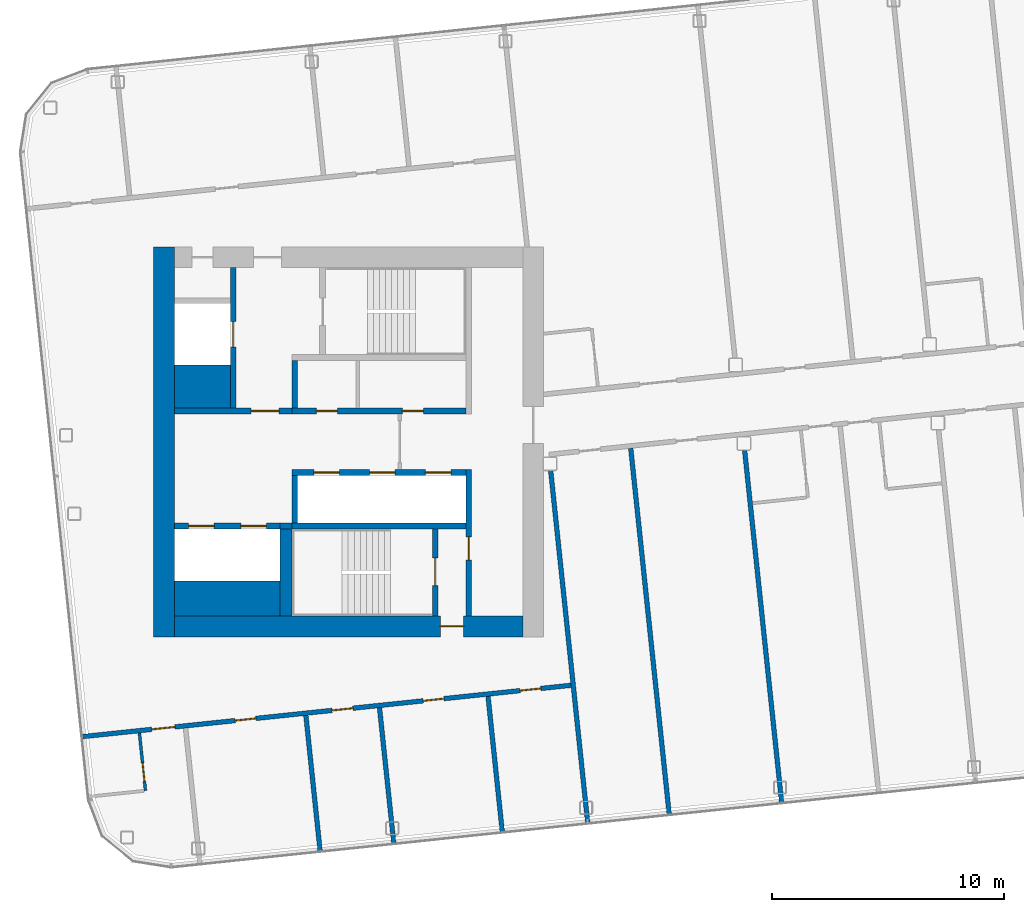
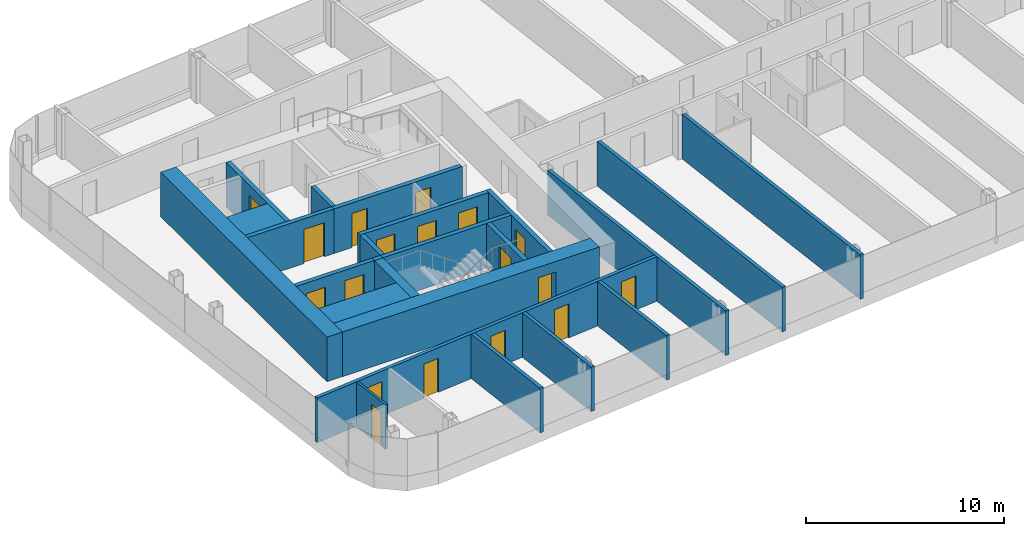
# One storey, part 14 of 27: 24 walls, 18 doors, 18 openings.
"""IFC4 building model written with IfcOpenShell, lengths in metres."""

import ifcopenshell
import ifcopenshell.guid

model = None  # the IFC model being written
_history = None  # IfcOwnerHistory: only IFC2X3 demands one
_inside = {}  # id of a spatial element -> (the spatial element, [elements in it])
_under = {}  # id of a project, library or spatial element -> (it, [spatial elements below it])
_declared = {}  # id of a project -> (the project, [libraries it declares])
_typed = {}  # id of a type object -> (the type object, [elements of that type])
_made_of = {}  # id of a material, layer set ... -> (it, [elements and type objects made of it])


def new_model(schema):
    """Start an empty IFC model of exactly this schema.

    Asked for "IFC4X3", IfcOpenShell would pick the latest addendum, in which some entities
    have other attributes; the version numbers below select the first issue.
    IFC2X3 requires an IfcOwnerHistory on every rooted entity: one is made here for all.
    """
    global model, _history
    if schema == "IFC4X3":
        model = ifcopenshell.file(schema_version=(4, 3, 0, 0))
    else:
        model = ifcopenshell.file(schema=schema)
    _inside.clear()
    _under.clear()
    _declared.clear()
    _typed.clear()
    _made_of.clear()
    _history = None
    if model.schema == "IFC2X3":
        org = make("IfcOrganization", Name="unknown")
        user = make(
            "IfcPersonAndOrganization",
            ThePerson=make("IfcPerson", FamilyName="unknown"),
            TheOrganization=org,
        )
        app = make(
            "IfcApplication",
            ApplicationDeveloper=org,
            Version="unknown",
            ApplicationFullName="unknown",
            ApplicationIdentifier="unknown",
        )
        _history = make(
            "IfcOwnerHistory",
            OwningUser=user,
            OwningApplication=app,
            ChangeAction="ADDED",
            CreationDate=0,
        )
    return model


def make(cls, **values):
    """One entity of the class cls with the attributes given. An attribute that is None is left unset."""
    return model.create_entity(
        cls, **{name: value for name, value in values.items() if value is not None}
    )


def rooted(cls, **values):
    """An entity with a GlobalId (a new one), such as an element, a storey or a relation."""
    return make(cls, GlobalId=ifcopenshell.guid.new(), OwnerHistory=_history, **values)


def si_unit(unit_type, name, prefix=None):
    """IfcSIUnit, for example si_unit("LENGTHUNIT", "METRE", prefix="MILLI")."""
    return make("IfcSIUnit", UnitType=unit_type, Prefix=prefix, Name=name)


def assignment(units):
    """IfcUnitAssignment: the units of a project."""
    return None if units is None else make("IfcUnitAssignment", Units=units)


def point(xyz):
    """IfcCartesianPoint."""
    return None if xyz is None else make("IfcCartesianPoint", Coordinates=xyz)


def direction(xyz):
    """IfcDirection."""
    return None if xyz is None else make("IfcDirection", DirectionRatios=xyz)


def frame(location, z_axis=None, x_axis=None):
    """IfcAxis2Placement3D, a coordinate frame: its origin and axes. An axis left out is left unset."""
    return make(
        "IfcAxis2Placement3D",
        Location=point(location),
        Axis=direction(z_axis),
        RefDirection=direction(x_axis),
    )


def frame_2d(location, x_axis=None):
    """IfcAxis2Placement2D, a coordinate frame in the plane: its origin and x axis."""
    return make(
        "IfcAxis2Placement2D", Location=point(location), RefDirection=direction(x_axis)
    )


def origin():
    """The frame at (0, 0, 0) with its axes left unset."""
    return frame((0.0, 0.0, 0.0))


def place(relative_to, where):
    """IfcLocalPlacement: puts the frame where relative to a parent placement (None: the world)."""
    return make(
        "IfcLocalPlacement", PlacementRelTo=relative_to, RelativePlacement=where
    )


def context(
    kind, dimensions, precision=None, world=None, true_north=None, identifier=None
):
    """IfcGeometricRepresentationContext, for example the 3D "Model" context."""
    return make(
        "IfcGeometricRepresentationContext",
        ContextIdentifier=identifier,
        ContextType=kind,
        CoordinateSpaceDimension=dimensions,
        Precision=precision,
        WorldCoordinateSystem=world,
        TrueNorth=true_north,
    )


def subcontext(parent, identifier, kind, view, scale=None):
    """IfcGeometricRepresentationSubContext, for example "Body" below "Model"."""
    return make(
        "IfcGeometricRepresentationSubContext",
        ContextIdentifier=identifier,
        ContextType=kind,
        ParentContext=parent,
        TargetScale=scale,
        TargetView=view,
    )


def project(units=None, contexts=None):
    """IfcProject with its units and contexts."""
    return rooted(
        "IfcProject",
        Name="project",
        RepresentationContexts=contexts,
        UnitsInContext=assignment(units),
    )


def spatial(cls, under=None, at=None, **own):
    """A site, building, storey or space (cls), placed at a placement, below another one or the project."""
    s = rooted(cls, ObjectPlacement=at, **own)
    if under is not None:
        _under.setdefault(under.id(), (under, []))[1].append(s)
    return s


def profile(cls, at=None, kind="AREA", **sizes):
    """A parametric profile (cls). Its sizes go by their IFC names, for example OverallWidth=200.0."""
    return make(cls, ProfileType=kind, Position=at, **sizes)


def rectangle(**sizes):
    """IfcRectangleProfileDef."""
    return profile("IfcRectangleProfileDef", **sizes)


def extrude(swept, where, along, depth):
    """IfcExtrudedAreaSolid: the profile swept, set in the frame where, extruded along a direction by depth."""
    return make(
        "IfcExtrudedAreaSolid",
        SweptArea=swept,
        Position=where,
        ExtrudedDirection=direction(along),
        Depth=depth,
    )


def shape(context_of_items, identifier, shape_type, items):
    """IfcShapeRepresentation: the items that make up one representation, for example the "Body"."""
    return make(
        "IfcShapeRepresentation",
        ContextOfItems=context_of_items,
        RepresentationIdentifier=identifier,
        RepresentationType=shape_type,
        Items=items,
    )


def material(Name=None, Category=None):
    """IfcMaterial."""
    return make("IfcMaterial", Name=Name, Category=Category)


def layer(
    of_material, thickness, ventilated=None, Name=None, Category=None, Priority=None
):
    """IfcMaterialLayer: one layer of a wall or slab, of a material (None: an air gap)."""
    return make(
        "IfcMaterialLayer",
        Material=of_material,
        LayerThickness=thickness,
        IsVentilated=ventilated,
        Name=Name,
        Category=Category,
        Priority=Priority,
    )


def layer_set(layers, Name=None):
    """IfcMaterialLayerSet."""
    return make("IfcMaterialLayerSet", MaterialLayers=layers, LayerSetName=Name)


def made_of(thing, what):
    """Note that an element or type object is made of a material, layer set ...; save() writes the relation."""
    if what is not None:
        _made_of.setdefault(what.id(), (what, []))[1].append(thing)
    return thing


def type_object(cls, material=None, **own):
    """A type object (cls), such as IfcWallType, which elements share."""
    return made_of(rooted(cls, **own), material)


def element(
    cls,
    number,
    at=None,
    inside=None,
    cuts=None,
    type_object=None,
    material=None,
    context=None,
    identifier="Body",
    shape_type=None,
    held_by="IfcProductDefinitionShape",
    body=None,
    shapes=None,
    **own,
):
    """One element of the class cls, such as IfcWall. Its Tag is "e" and its number.

    at: its placement. inside: the storey or other place that contains it. cuts: it is an
    opening in that element (IfcRelVoidsElement). A single representation is given by context,
    identifier, shape_type and body (its items); several are given by shapes. held_by: the class
    of the entity that holds the representations. save() writes the other relations.
    """
    e = rooted(cls, Tag="e%d" % number, ObjectPlacement=at, **own)
    if body is not None:
        shapes = [shape(context, identifier, shape_type, body)]
    if shapes is not None:
        e.Representation = make(held_by, Representations=shapes)
    if inside is not None:
        _inside.setdefault(inside.id(), (inside, []))[1].append(e)
    if cuts is not None:
        rooted(
            "IfcRelVoidsElement", RelatingBuildingElement=cuts, RelatedOpeningElement=e
        )
    if type_object is not None:
        _typed.setdefault(type_object.id(), (type_object, []))[1].append(e)
    return made_of(e, material)


def fill(opening, filler):
    """IfcRelFillsElement: the door or window that sits in an opening."""
    return rooted(
        "IfcRelFillsElement",
        RelatingOpeningElement=opening,
        RelatedBuildingElement=filler,
    )


def aggregate(whole, parts):
    """IfcRelAggregates: a whole, such as a stair, and the parts it consists of."""
    return rooted("IfcRelAggregates", RelatingObject=whole, RelatedObjects=parts)


def save(model, path):
    """Write the relations noted so far, then the file.

    IfcRelAggregates (storeys below a building ...), IfcRelContainedInSpatialStructure (elements
    in a storey), IfcRelDefinesByType, IfcRelAssociatesMaterial and IfcRelDeclares: one each for
    every whole, place, type object, material and project.
    """
    for whole, parts in _under.values():
        aggregate(whole, parts)
    for where, things in _inside.values():
        rooted(
            "IfcRelContainedInSpatialStructure",
            RelatedElements=things,
            RelatingStructure=where,
        )
    for kind, things in _typed.values():
        rooted("IfcRelDefinesByType", RelatedObjects=things, RelatingType=kind)
    for what, things in _made_of.values():
        rooted("IfcRelAssociatesMaterial", RelatedObjects=things, RelatingMaterial=what)
    for by, libraries in _declared.values():
        rooted("IfcRelDeclares", RelatingContext=by, RelatedDefinitions=libraries)
    model.write(path)


model = new_model("IFC4")

# Units and contexts
model_context = context("Model", 3, precision=1e-05, world=origin(), true_north=direction((0.0, 1.0)))
body_context = subcontext(model_context, "Body", "Model", "MODEL_VIEW")
ifc_project = project(units=[si_unit("LENGTHUNIT", "METRE"), si_unit("AREAUNIT", "SQUARE_METRE"), si_unit("VOLUMEUNIT", "CUBIC_METRE"), si_unit("PLANEANGLEUNIT", "RADIAN"), si_unit("MASSUNIT", "GRAM", prefix="KILO")], contexts=[model_context])

# Site, building, storey
site_placement = place(None, origin())
site = spatial("IfcSite", under=ifc_project, at=site_placement, CompositionType="ELEMENT")
building_placement = place(site_placement, origin())
building = spatial("IfcBuilding", under=site, at=building_placement, Name="Hakoniwa Tower and Hamabe Station Hall", CompositionType="ELEMENT")
storey_placement = place(building_placement, frame((0.0, 0.0, 255.0)))
storey = spatial("IfcBuildingStorey", under=building, at=storey_placement, Name="L72", CompositionType="ELEMENT", Elevation=255.0)

# Wall, opening, door
ifc_material_1 = material(Name="Gypsum board partition", Category="gypsum")
ifc_layer_1 = layer(ifc_material_1, 0.125)
ifc_layer_set_1 = layer_set([ifc_layer_1], Name="Bathroom Partition 125")
wall_type_1 = type_object("IfcWallType", Name="Bathroom Partition 125", PredefinedType="PARTITIONING", material=ifc_layer_set_1)
wall_1_placement = place(storey_placement, frame((-33.95361328125, -15.029296875, 0.0), z_axis=(0.0, 0.0, 1.0), x_axis=(-0.104588199498, 0.994515615024, 0.0)))
wall_1 = element("IfcWall", 1, at=wall_1_placement, inside=storey, type_object=wall_type_1, Name="GW-L72-014", PredefinedType="PARTITIONING", context=body_context, shape_type="SweptSolid", body=[
    extrude(rectangle(XDim=2.5, YDim=0.125, at=frame_2d((1.25, 0.0))), origin(), (0.0, 0.0, 1.0), 2.75),
])
opening_1_placement = place(wall_1_placement, frame((0.39990234375, 0.0, 0.0)))
opening_1 = element("IfcOpeningElement", 2, at=opening_1_placement, cuts=wall_1, Name="Opening GD-G5B1-27", PredefinedType="OPENING", context=body_context, shape_type="SweptSolid", body=[
    extrude(rectangle(XDim=0.800048828125, YDim=2.10009765625, at=frame_2d((0.39990234375, 1.050048828125))), frame((0.0, 0.072509765625, 0.0), z_axis=(0.0, -1.0, 0.0), x_axis=(1.0, 0.0, 0.0)), (0.0, 0.0, 1.0), 0.14501953125),
])
ifc_material_2 = material(Name="Timber door leaf", Category="wood")
door_type_1 = type_object("IfcDoorType", Name="Bathroom Door 800", OperationType="SINGLE_SWING_LEFT", PredefinedType="DOOR", material=ifc_material_2)
door_1_placement = place(opening_1_placement, origin())
door_1 = element("IfcDoor", 3, at=door_1_placement, inside=storey, type_object=door_type_1, Name="Door GD-G5B1-27", OperationType="SINGLE_SWING_RIGHT", OverallHeight=2.10009765625, OverallWidth=0.800048828125, PredefinedType="DOOR", context=body_context, shape_type="SweptSolid", body=[
    extrude(rectangle(XDim=0.800048828125, YDim=2.10009765625, at=frame_2d((0.39990234375, 1.050048828125))), frame((0.0, 0.02490234375, 0.0), z_axis=(0.0, -1.0, 0.0), x_axis=(1.0, 0.0, 0.0)), (0.0, 0.0, 1.0), 0.050048828125),
])
fill(opening_1, door_1)

# Wall
ifc_material_3 = material(Name="Concrete C60", Category="concrete")
ifc_layer_2 = layer(ifc_material_3, 0.89990234375)
ifc_layer_set_2 = layer_set([ifc_layer_2], Name="CORE WALL 900 C60")
wall_type_2 = type_object("IfcWallType", Name="CORE WALL 900 C60", PredefinedType="SHEAR", material=ifc_layer_set_2)
wall_2_placement = place(storey_placement, frame((-33.14990234375, -8.39990234375, 0.0), z_axis=(0.0, 0.0, 1.0), x_axis=(0.0, 1.0, 0.0)))
element("IfcWall", 4, at=wall_2_placement, inside=storey, type_object=wall_type_2, Name="Core wall OUTER west", PredefinedType="SHEAR", context=body_context, shape_type="SweptSolid", body=[
    extrude(rectangle(XDim=16.7998046875, YDim=0.89990234375, at=frame_2d((8.39990234375, 0.0))), origin(), (0.0, 0.0, 1.0), 2.75),
])

# Wall, opening, door
wall_3_placement = place(storey_placement, frame((-32.699951171875, -7.949951171875, 0.0), z_axis=(0.0, 0.0, 1.0), x_axis=(1.0, 0.0, 0.0)))
wall_3 = element("IfcWall", 5, at=wall_3_placement, inside=storey, type_object=wall_type_2, Name="Core wall SOUTH west", PredefinedType="SHEAR", context=body_context, shape_type="SweptSolid", body=[
    extrude(rectangle(XDim=15.0, YDim=0.89990234375, at=frame_2d((7.5, 0.0))), origin(), (0.0, 0.0, 1.0), 2.75),
])
opening_2_placement = place(wall_3_placement, frame((11.449951171875, 0.0, 0.0)))
opening_2 = element("IfcOpeningElement", 6, at=opening_2_placement, cuts=wall_3, Name="Opening CD-W-FS3-10", PredefinedType="OPENING", context=body_context, shape_type="SweptSolid", body=[
    extrude(rectangle(XDim=1.0, YDim=2.10009765625, at=frame_2d((0.5, 1.050048828125))), frame((0.0, 0.4599609375, 0.0), z_axis=(0.0, -1.0, 0.0), x_axis=(1.0, 0.0, 0.0)), (0.0, 0.0, 1.0), 0.919921875),
])
ifc_material_4 = material(Name="Steel fire door", Category="steel")
door_type_2 = type_object("IfcDoorType", Name="CORE DOOR 1000 FD60", OperationType="NOTDEFINED", PredefinedType="DOOR", material=ifc_material_4)
door_2_placement = place(opening_2_placement, origin())
door_2 = element("IfcDoor", 7, at=door_2_placement, inside=storey, type_object=door_type_2, Name="Stair vestibule door", OperationType="SINGLE_SWING_LEFT", OverallHeight=2.10009765625, OverallWidth=1.0, PredefinedType="DOOR", context=body_context, shape_type="SweptSolid", body=[
    extrude(rectangle(XDim=1.0, YDim=2.10009765625, at=frame_2d((0.5, 1.050048828125))), frame((0.0, 0.02490234375, 0.0), z_axis=(0.0, -1.0, 0.0), x_axis=(1.0, 0.0, 0.0)), (0.0, 0.0, 1.0), 0.050048828125),
])
fill(opening_2, door_2)

# Walls
ifc_material_5 = material(Name="Concrete C60", Category="concrete")
ifc_layer_3 = layer(ifc_material_5, 1.5)
ifc_layer_set_3 = layer_set([ifc_layer_3], Name="CORE WEB WALL 1500 C60")
wall_type_3 = type_object("IfcWallType", Name="CORE WEB WALL 1500 C60", PredefinedType="SHEAR", material=ifc_layer_set_3)
wall_4_placement = place(storey_placement, frame((-32.699951171875, -6.75, 0.0), z_axis=(0.0, 0.0, 1.0), x_axis=(1.0, 0.0, 0.0)))
element("IfcWall", 8, at=wall_4_placement, inside=storey, type_object=wall_type_3, Name="Core wall SER west", PredefinedType="SHEAR", context=body_context, shape_type="SweptSolid", body=[
    extrude(rectangle(XDim=4.550048828125, YDim=1.5, at=frame_2d((2.27490234375, 0.0))), origin(), (0.0, 0.0, 1.0), 2.75),
])
ifc_material_6 = material(Name="Concrete C60", Category="concrete")
ifc_layer_4 = layer(ifc_material_6, 1.85009765625)
ifc_layer_set_4 = layer_set([ifc_layer_4], Name="CORE WEB WALL 1850 C60")
wall_type_4 = type_object("IfcWallType", Name="CORE WEB WALL 1850 C60", PredefinedType="SHEAR", material=ifc_layer_set_4)
wall_5_placement = place(storey_placement, frame((-32.699951171875, 2.375, 0.0), z_axis=(0.0, 0.0, 1.0), x_axis=(1.0, 0.0, 0.0)))
element("IfcWall", 9, at=wall_5_placement, inside=storey, type_object=wall_type_4, Name="Core wall CA west", PredefinedType="SHEAR", context=body_context, shape_type="SweptSolid", body=[
    extrude(rectangle(XDim=2.39990234375, YDim=1.85009765625, at=frame_2d((1.199951171875, 0.0))), origin(), (0.0, 0.0, 1.0), 2.75),
])

# Wall, opening, door
ifc_material_7 = material(Name="Concrete C60", Category="concrete")
ifc_layer_5 = layer(ifc_material_7, 0.25)
ifc_layer_set_5 = layer_set([ifc_layer_5], Name="CORE WEB WALL 250 C60")
wall_type_5 = type_object("IfcWallType", Name="CORE WEB WALL 250 C60", PredefinedType="SHEAR", material=ifc_layer_set_5)
wall_6_placement = place(storey_placement, frame((-20.02490234375, -7.5, 0.0), z_axis=(0.0, 0.0, 1.0), x_axis=(0.0, 1.0, 0.0)))
wall_6 = element("IfcWall", 10, at=wall_6_placement, inside=storey, type_object=wall_type_5, Name="Core wall W1S west", PredefinedType="SHEAR", context=body_context, shape_type="SweptSolid", body=[
    extrude(rectangle(XDim=6.300048828125, YDim=0.25, at=frame_2d((3.14990234375, 0.0))), origin(), (0.0, 0.0, 1.0), 2.75),
])
opening_3_placement = place(wall_6_placement, frame((2.39990234375, 0.0, 0.0)))
opening_3 = element("IfcOpeningElement", 11, at=opening_3_placement, cuts=wall_6, Name="Opening CD-W-VS-10", PredefinedType="OPENING", context=body_context, shape_type="SweptSolid", body=[
    extrude(rectangle(XDim=1.0, YDim=2.10009765625, at=frame_2d((0.5, 1.050048828125))), frame((0.0, 0.135009765625, 0.0), z_axis=(0.0, -1.0, 0.0), x_axis=(1.0, 0.0, 0.0)), (0.0, 0.0, 1.0), 0.27001953125),
])
door_3_placement = place(opening_3_placement, origin())
door_3 = element("IfcDoor", 12, at=door_3_placement, inside=storey, type_object=door_type_2, Name="Stair vestibule door", OperationType="SINGLE_SWING_LEFT", OverallHeight=2.10009765625, OverallWidth=1.0, PredefinedType="DOOR", context=body_context, shape_type="SweptSolid", body=[
    extrude(rectangle(XDim=1.0, YDim=2.10009765625, at=frame_2d((0.5, 1.050048828125))), frame((0.0, 0.02490234375, 0.0), z_axis=(0.0, -1.0, 0.0), x_axis=(1.0, 0.0, 0.0)), (0.0, 0.0, 1.0), 0.050048828125),
])
fill(opening_3, door_3)

# Wall, openings, doors
wall_7_placement = place(storey_placement, frame((-27.64990234375, 1.324951171875, 0.0), z_axis=(0.0, 0.0, 1.0), x_axis=(1.0, 0.0, 0.0)))
wall_7 = element("IfcWall", 13, at=wall_7_placement, inside=storey, type_object=wall_type_5, Name="Core wall NF west", PredefinedType="SHEAR", context=body_context, shape_type="SweptSolid", body=[
    extrude(rectangle(XDim=7.5, YDim=0.25, at=frame_2d((3.75, 0.0))), origin(), (0.0, 0.0, 1.0), 2.75),
])
opening_4_placement = place(wall_7_placement, frame((4.762451171875, 0.0, 0.0)))
opening_4 = element("IfcOpeningElement", 14, at=opening_4_placement, cuts=wall_7, Name="Opening CD-W-FRLR0-9", PredefinedType="OPENING", context=body_context, shape_type="SweptSolid", body=[
    extrude(rectangle(XDim=0.89990234375, YDim=2.10009765625, at=frame_2d((0.449951171875, 1.050048828125))), frame((0.0, 0.135009765625, 0.0), z_axis=(0.0, -1.0, 0.0), x_axis=(1.0, 0.0, 0.0)), (0.0, 0.0, 1.0), 0.27001953125),
])
opening_5_placement = place(wall_7_placement, frame((1.0625, 0.0, 0.0)))
opening_5 = element("IfcOpeningElement", 15, at=opening_5_placement, cuts=wall_7, Name="Opening CD-W-FRLR1-9", PredefinedType="OPENING", context=body_context, shape_type="SweptSolid", body=[
    extrude(rectangle(XDim=0.89990234375, YDim=2.10009765625, at=frame_2d((0.449951171875, 1.050048828125))), frame((0.0, 0.135009765625, 0.0), z_axis=(0.0, -1.0, 0.0), x_axis=(1.0, 0.0, 0.0)), (0.0, 0.0, 1.0), 0.27001953125),
])
ifc_material_8 = material(Name="Steel fire door", Category="steel")
door_type_3 = type_object("IfcDoorType", Name="CORE DOOR 900 FD30", OperationType="NOTDEFINED", PredefinedType="DOOR", material=ifc_material_8)
door_4_placement = place(opening_4_placement, origin())
door_4 = element("IfcDoor", 16, at=door_4_placement, inside=storey, type_object=door_type_3, Name="Store room door", OperationType="SINGLE_SWING_RIGHT", OverallHeight=2.10009765625, OverallWidth=0.89990234375, PredefinedType="DOOR", context=body_context, shape_type="SweptSolid", body=[
    extrude(rectangle(XDim=0.89990234375, YDim=2.10009765625, at=frame_2d((0.449951171875, 1.050048828125))), frame((0.0, 0.02490234375, 0.0), z_axis=(0.0, -1.0, 0.0), x_axis=(1.0, 0.0, 0.0)), (0.0, 0.0, 1.0), 0.050048828125),
])
fill(opening_4, door_4)
door_5_placement = place(opening_5_placement, origin())
door_5 = element("IfcDoor", 17, at=door_5_placement, inside=storey, type_object=door_type_3, Name="Store room door", OperationType="SINGLE_SWING_LEFT", OverallHeight=2.10009765625, OverallWidth=0.89990234375, PredefinedType="DOOR", context=body_context, shape_type="SweptSolid", body=[
    extrude(rectangle(XDim=0.89990234375, YDim=2.10009765625, at=frame_2d((0.449951171875, 1.050048828125))), frame((0.0, 0.02490234375, 0.0), z_axis=(0.0, -1.0, 0.0), x_axis=(1.0, 0.0, 0.0)), (0.0, 0.0, 1.0), 0.050048828125),
])
fill(opening_5, door_5)

# Wall
wall_8_placement = place(storey_placement, frame((-27.52490234375, 1.449951171875, 0.0), z_axis=(0.0, 0.0, 1.0), x_axis=(0.0, 1.0, 0.0)))
element("IfcWall", 18, at=wall_8_placement, inside=storey, type_object=wall_type_5, Name="Core wall NE west", PredefinedType="SHEAR", context=body_context, shape_type="SweptSolid", body=[
    extrude(rectangle(XDim=2.050048828125, YDim=0.25, at=frame_2d((1.02490234375, 0.0))), origin(), (0.0, 0.0, 1.0), 2.75),
])

# Wall, opening, door
wall_9_placement = place(storey_placement, frame((-32.699951171875, 1.324951171875, 0.0), z_axis=(0.0, 0.0, 1.0), x_axis=(1.0, 0.0, 0.0)))
wall_9 = element("IfcWall", 19, at=wall_9_placement, inside=storey, type_object=wall_type_5, Name="Core wall ELN west", PredefinedType="SHEAR", context=body_context, shape_type="SweptSolid", body=[
    extrude(rectangle(XDim=5.050048828125, YDim=0.25, at=frame_2d((2.52490234375, 0.0))), origin(), (0.0, 0.0, 1.0), 2.75),
])
opening_6_placement = place(wall_9_placement, frame((3.300048828125, 0.0, 0.0)))
opening_6 = element("IfcOpeningElement", 20, at=opening_6_placement, cuts=wall_9, Name="Opening CD-W-FL-12", PredefinedType="OPENING", context=body_context, shape_type="SweptSolid", body=[
    extrude(rectangle(XDim=1.199951171875, YDim=2.10009765625, at=frame_2d((0.60009765625, 1.050048828125))), frame((0.0, 0.135009765625, 0.0), z_axis=(0.0, -1.0, 0.0), x_axis=(1.0, 0.0, 0.0)), (0.0, 0.0, 1.0), 0.27001953125),
])
ifc_material_9 = material(Name="Steel fire door", Category="steel")
door_type_4 = type_object("IfcDoorType", Name="CORE DOOR 1200 FD60", OperationType="DOUBLE_DOOR_SINGLE_SWING", PredefinedType="DOOR", material=ifc_material_9)
door_6_placement = place(opening_6_placement, origin())
door_6 = element("IfcDoor", 21, at=door_6_placement, inside=storey, type_object=door_type_4, Name="Stair vestibule door to the fire-fighting lobby", OperationType="DOUBLE_DOOR_SINGLE_SWING", OverallHeight=2.10009765625, OverallWidth=1.199951171875, PredefinedType="DOOR", context=body_context, shape_type="SweptSolid", body=[
    extrude(rectangle(XDim=1.199951171875, YDim=2.10009765625, at=frame_2d((0.60009765625, 1.050048828125))), frame((0.0, 0.02490234375, 0.0), z_axis=(0.0, -1.0, 0.0), x_axis=(1.0, 0.0, 0.0)), (0.0, 0.0, 1.0), 0.050048828125),
])
fill(opening_6, door_6)

wall_10_placement = place(storey_placement, frame((-30.175048828125, 1.449951171875, 0.0), z_axis=(0.0, 0.0, 1.0), x_axis=(0.0, 1.0, 0.0)))
wall_10 = element("IfcWall", 22, at=wall_10_placement, inside=storey, type_object=wall_type_5, Name="Core wall FFF west", PredefinedType="SHEAR", context=body_context, shape_type="SweptSolid", body=[
    extrude(rectangle(XDim=6.050048828125, YDim=0.25, at=frame_2d((3.02490234375, 0.0))), origin(), (0.0, 0.0, 1.0), 2.75),
])
opening_7_placement = place(wall_10_placement, frame((2.625, 0.0, 0.0)))
opening_7 = element("IfcOpeningElement", 23, at=opening_7_placement, cuts=wall_10, Name="Opening LD-FF1", PredefinedType="OPENING", context=body_context, shape_type="SweptSolid", body=[
    extrude(rectangle(XDim=1.10009765625, YDim=2.10009765625, at=frame_2d((0.550048828125, 1.050048828125))), frame((0.0, 0.135009765625, 0.0), z_axis=(0.0, -1.0, 0.0), x_axis=(1.0, 0.0, 0.0)), (0.0, 0.0, 1.0), 0.27001953125),
])
ifc_material_10 = material(Name="Stainless steel SUS304", Category="steel")
door_type_5 = type_object("IfcDoorType", Name="LIFT LANDING DOOR 1100 FD60", OperationType="DOUBLE_DOOR_SLIDING", PredefinedType="DOOR", material=ifc_material_10)
door_7_placement = place(opening_7_placement, origin())
door_7 = element("IfcDoor", 24, at=door_7_placement, inside=storey, type_object=door_type_5, Name="Lift landing door FF1 L72", OperationType="DOUBLE_DOOR_SLIDING", OverallHeight=2.10009765625, OverallWidth=1.10009765625, PredefinedType="DOOR", context=body_context, shape_type="SweptSolid", body=[
    extrude(rectangle(XDim=1.10009765625, YDim=2.10009765625, at=frame_2d((0.550048828125, 1.050048828125))), frame((0.0, 0.02490234375, 0.0), z_axis=(0.0, -1.0, 0.0), x_axis=(1.0, 0.0, 0.0)), (0.0, 0.0, 1.0), 0.050048828125),
])
fill(opening_7, door_7)

# Wall, openings, doors
wall_11_placement = place(storey_placement, frame((-27.64990234375, -1.324951171875, 0.0), z_axis=(0.0, 0.0, 1.0), x_axis=(1.0, 0.0, 0.0)))
wall_11 = element("IfcWall", 25, at=wall_11_placement, inside=storey, type_object=wall_type_5, Name="Core wall SF west", PredefinedType="SHEAR", context=body_context, shape_type="SweptSolid", body=[
    extrude(rectangle(XDim=7.5, YDim=0.25, at=frame_2d((3.75, 0.0))), origin(), (0.0, 0.0, 1.0), 2.75),
])
opening_8_placement = place(wall_11_placement, frame((5.75, 0.0, 0.0)))
opening_8 = element("IfcOpeningElement", 26, at=opening_8_placement, cuts=wall_11, Name="Opening LD-HR1", PredefinedType="OPENING", context=body_context, shape_type="SweptSolid", body=[
    extrude(rectangle(XDim=1.10009765625, YDim=2.10009765625, at=frame_2d((0.550048828125, 1.050048828125))), frame((0.0, 0.135009765625, 0.0), z_axis=(0.0, -1.0, 0.0), x_axis=(1.0, 0.0, 0.0)), (0.0, 0.0, 1.0), 0.27001953125),
])
opening_9_placement = place(wall_11_placement, frame((3.35009765625, 0.0, 0.0)))
opening_9 = element("IfcOpeningElement", 27, at=opening_9_placement, cuts=wall_11, Name="Opening LD-HR2", PredefinedType="OPENING", context=body_context, shape_type="SweptSolid", body=[
    extrude(rectangle(XDim=1.10009765625, YDim=2.10009765625, at=frame_2d((0.550048828125, 1.050048828125))), frame((0.0, 0.135009765625, 0.0), z_axis=(0.0, -1.0, 0.0), x_axis=(1.0, 0.0, 0.0)), (0.0, 0.0, 1.0), 0.27001953125),
])
opening_10_placement = place(wall_11_placement, frame((0.949951171875, 0.0, 0.0)))
opening_10 = element("IfcOpeningElement", 28, at=opening_10_placement, cuts=wall_11, Name="Opening LD-HR3", PredefinedType="OPENING", context=body_context, shape_type="SweptSolid", body=[
    extrude(rectangle(XDim=1.10009765625, YDim=2.10009765625, at=frame_2d((0.550048828125, 1.050048828125))), frame((0.0, 0.135009765625, 0.0), z_axis=(0.0, -1.0, 0.0), x_axis=(1.0, 0.0, 0.0)), (0.0, 0.0, 1.0), 0.27001953125),
])
door_8_placement = place(opening_8_placement, origin())
door_8 = element("IfcDoor", 29, at=door_8_placement, inside=storey, type_object=door_type_5, Name="Lift landing door HR1 L72", OperationType="DOUBLE_DOOR_SLIDING", OverallHeight=2.10009765625, OverallWidth=1.10009765625, PredefinedType="DOOR", context=body_context, shape_type="SweptSolid", body=[
    extrude(rectangle(XDim=1.10009765625, YDim=2.10009765625, at=frame_2d((0.550048828125, 1.050048828125))), frame((0.0, 0.02490234375, 0.0), z_axis=(0.0, -1.0, 0.0), x_axis=(1.0, 0.0, 0.0)), (0.0, 0.0, 1.0), 0.050048828125),
])
fill(opening_8, door_8)
door_9_placement = place(opening_9_placement, origin())
door_9 = element("IfcDoor", 30, at=door_9_placement, inside=storey, type_object=door_type_5, Name="Lift landing door HR2 L72", OperationType="DOUBLE_DOOR_SLIDING", OverallHeight=2.10009765625, OverallWidth=1.10009765625, PredefinedType="DOOR", context=body_context, shape_type="SweptSolid", body=[
    extrude(rectangle(XDim=1.10009765625, YDim=2.10009765625, at=frame_2d((0.550048828125, 1.050048828125))), frame((0.0, 0.02490234375, 0.0), z_axis=(0.0, -1.0, 0.0), x_axis=(1.0, 0.0, 0.0)), (0.0, 0.0, 1.0), 0.050048828125),
])
fill(opening_9, door_9)
door_10_placement = place(opening_10_placement, origin())
door_10 = element("IfcDoor", 31, at=door_10_placement, inside=storey, type_object=door_type_5, Name="Lift landing door HR3 L72", OperationType="DOUBLE_DOOR_SLIDING", OverallHeight=2.10009765625, OverallWidth=1.10009765625, PredefinedType="DOOR", context=body_context, shape_type="SweptSolid", body=[
    extrude(rectangle(XDim=1.10009765625, YDim=2.10009765625, at=frame_2d((0.550048828125, 1.050048828125))), frame((0.0, 0.02490234375, 0.0), z_axis=(0.0, -1.0, 0.0), x_axis=(1.0, 0.0, 0.0)), (0.0, 0.0, 1.0), 0.050048828125),
])
fill(opening_10, door_10)

# Walls
wall_12_placement = place(storey_placement, frame((-27.52490234375, -3.5, 0.0), z_axis=(0.0, 0.0, 1.0), x_axis=(0.0, 1.0, 0.0)))
element("IfcWall", 32, at=wall_12_placement, inside=storey, type_object=wall_type_5, Name="Core wall SE west", PredefinedType="SHEAR", context=body_context, shape_type="SweptSolid", body=[
    extrude(rectangle(XDim=2.050048828125, YDim=0.25, at=frame_2d((1.02490234375, 0.0))), origin(), (0.0, 0.0, 1.0), 2.75),
])
wall_13_placement = place(storey_placement, frame((-27.64990234375, -3.625, 0.0), z_axis=(0.0, 0.0, 1.0), x_axis=(1.0, 0.0, 0.0)))
element("IfcWall", 33, at=wall_13_placement, inside=storey, type_object=wall_type_5, Name="Core wall SR west", PredefinedType="SHEAR", context=body_context, shape_type="SweptSolid", body=[
    extrude(rectangle(XDim=7.5, YDim=0.25, at=frame_2d((3.75, 0.0))), origin(), (0.0, 0.0, 1.0), 2.75),
])

# Wall, opening, door
wall_14_placement = place(storey_placement, frame((-21.47509765625, -7.5, 0.0), z_axis=(0.0, 0.0, 1.0), x_axis=(0.0, 1.0, 0.0)))
wall_14 = element("IfcWall", 34, at=wall_14_placement, inside=storey, type_object=wall_type_5, Name="Core wall VE west", PredefinedType="SHEAR", context=body_context, shape_type="SweptSolid", body=[
    extrude(rectangle(XDim=3.75, YDim=0.25, at=frame_2d((1.875, 0.0))), origin(), (0.0, 0.0, 1.0), 2.75),
])
opening_11_placement = place(wall_14_placement, frame((1.300048828125, 0.0, 0.0)))
opening_11 = element("IfcOpeningElement", 35, at=opening_11_placement, cuts=wall_14, Name="Opening CD-W-SS-12", PredefinedType="OPENING", context=body_context, shape_type="SweptSolid", body=[
    extrude(rectangle(XDim=1.199951171875, YDim=2.10009765625, at=frame_2d((0.60009765625, 1.050048828125))), frame((0.0, 0.135009765625, 0.0), z_axis=(0.0, -1.0, 0.0), x_axis=(1.0, 0.0, 0.0)), (0.0, 0.0, 1.0), 0.27001953125),
])
door_11_placement = place(opening_11_placement, origin())
door_11 = element("IfcDoor", 36, at=door_11_placement, inside=storey, type_object=door_type_4, Name="Escape stair door", OperationType="DOUBLE_DOOR_SINGLE_SWING", OverallHeight=2.10009765625, OverallWidth=1.199951171875, PredefinedType="DOOR", context=body_context, shape_type="SweptSolid", body=[
    extrude(rectangle(XDim=1.199951171875, YDim=2.10009765625, at=frame_2d((0.60009765625, 1.050048828125))), frame((0.0, 0.02490234375, 0.0), z_axis=(0.0, -1.0, 0.0), x_axis=(1.0, 0.0, 0.0)), (0.0, 0.0, 1.0), 0.050048828125),
])
fill(opening_11, door_11)

# Wall, openings, doors
wall_15_placement = place(storey_placement, frame((-32.699951171875, -3.625, 0.0), z_axis=(0.0, 0.0, 1.0), x_axis=(1.0, 0.0, 0.0)))
wall_15 = element("IfcWall", 37, at=wall_15_placement, inside=storey, type_object=wall_type_5, Name="Core wall SEF west", PredefinedType="SHEAR", context=body_context, shape_type="SweptSolid", body=[
    extrude(rectangle(XDim=4.550048828125, YDim=0.25, at=frame_2d((2.27490234375, 0.0))), origin(), (0.0, 0.0, 1.0), 2.75),
])
opening_12_placement = place(wall_15_placement, frame((2.85009765625, 0.0, 0.0)))
opening_12 = element("IfcOpeningElement", 38, at=opening_12_placement, cuts=wall_15, Name="Opening LD-SV1", PredefinedType="OPENING", context=body_context, shape_type="SweptSolid", body=[
    extrude(rectangle(XDim=1.10009765625, YDim=2.10009765625, at=frame_2d((0.550048828125, 1.050048828125))), frame((0.0, 0.135009765625, 0.0), z_axis=(0.0, -1.0, 0.0), x_axis=(1.0, 0.0, 0.0)), (0.0, 0.0, 1.0), 0.27001953125),
])
opening_13_placement = place(wall_15_placement, frame((0.60009765625, 0.0, 0.0)))
opening_13 = element("IfcOpeningElement", 39, at=opening_13_placement, cuts=wall_15, Name="Opening LD-SV2", PredefinedType="OPENING", context=body_context, shape_type="SweptSolid", body=[
    extrude(rectangle(XDim=1.10009765625, YDim=2.10009765625, at=frame_2d((0.550048828125, 1.050048828125))), frame((0.0, 0.135009765625, 0.0), z_axis=(0.0, -1.0, 0.0), x_axis=(1.0, 0.0, 0.0)), (0.0, 0.0, 1.0), 0.27001953125),
])
door_12_placement = place(opening_12_placement, origin())
door_12 = element("IfcDoor", 40, at=door_12_placement, inside=storey, type_object=door_type_5, Name="Lift landing door SV1 L72", OperationType="DOUBLE_DOOR_SLIDING", OverallHeight=2.10009765625, OverallWidth=1.10009765625, PredefinedType="DOOR", context=body_context, shape_type="SweptSolid", body=[
    extrude(rectangle(XDim=1.10009765625, YDim=2.10009765625, at=frame_2d((0.550048828125, 1.050048828125))), frame((0.0, 0.02490234375, 0.0), z_axis=(0.0, -1.0, 0.0), x_axis=(1.0, 0.0, 0.0)), (0.0, 0.0, 1.0), 0.050048828125),
])
fill(opening_12, door_12)
door_13_placement = place(opening_13_placement, origin())
door_13 = element("IfcDoor", 41, at=door_13_placement, inside=storey, type_object=door_type_5, Name="Lift landing door SV2 L72", OperationType="DOUBLE_DOOR_SLIDING", OverallHeight=2.10009765625, OverallWidth=1.10009765625, PredefinedType="DOOR", context=body_context, shape_type="SweptSolid", body=[
    extrude(rectangle(XDim=1.10009765625, YDim=2.10009765625, at=frame_2d((0.550048828125, 1.050048828125))), frame((0.0, 0.02490234375, 0.0), z_axis=(0.0, -1.0, 0.0), x_axis=(1.0, 0.0, 0.0)), (0.0, 0.0, 1.0), 0.050048828125),
])
fill(opening_13, door_13)

# Walls
wall_16_placement = place(storey_placement, frame((-28.14990234375, -3.625, 0.0), z_axis=(0.0, 0.0, 1.0), x_axis=(1.0, 0.0, 0.0)))
element("IfcWall", 42, at=wall_16_placement, inside=storey, type_object=wall_type_5, Name="Core wall SRK west", PredefinedType="SHEAR", context=body_context, shape_type="SweptSolid", body=[
    extrude(rectangle(XDim=0.5, YDim=0.25, at=frame_2d((0.25, 0.0))), origin(), (0.0, 0.0, 1.0), 2.75),
])
ifc_material_11 = material(Name="Concrete C60", Category="concrete")
ifc_layer_6 = layer(ifc_material_11, 0.5)
ifc_layer_set_6 = layer_set([ifc_layer_6], Name="CORE WEB WALL 500 C60")
wall_type_6 = type_object("IfcWallType", Name="CORE WEB WALL 500 C60", PredefinedType="SHEAR", material=ifc_layer_set_6)
wall_17_placement = place(storey_placement, frame((-27.89990234375, -7.5, 0.0), z_axis=(0.0, 0.0, 1.0), x_axis=(0.0, 1.0, 0.0)))
element("IfcWall", 43, at=wall_17_placement, inside=storey, type_object=wall_type_6, Name="Core wall SSE west", PredefinedType="SHEAR", context=body_context, shape_type="SweptSolid", body=[
    extrude(rectangle(XDim=3.75, YDim=0.5, at=frame_2d((1.875, 0.0))), origin(), (0.0, 0.0, 1.0), 2.75),
])

# Wall, openings, doors
ifc_material_12 = material(Name="Fire-rated gypsum board partition", Category="gypsum")
ifc_layer_7 = layer(ifc_material_12, 0.199951171875)
ifc_layer_set_7 = layer_set([ifc_layer_7], Name="Corridor Wall 200")
wall_type_7 = type_object("IfcWallType", Name="Corridor Wall 200", PredefinedType="PARTITIONING", material=ifc_layer_set_7)
wall_18_placement = place(storey_placement, frame((-36.711669921875, -12.704833984375, 0.0), z_axis=(0.0, 0.0, 1.0), x_axis=(0.994522460242, 0.104523088709, 0.0)))
wall_18 = element("IfcWall", 44, at=wall_18_placement, inside=storey, type_object=wall_type_7, Name="GW-L72-003", PredefinedType="PARTITIONING", context=body_context, shape_type="SweptSolid", body=[
    extrude(rectangle(XDim=21.2998046875, YDim=0.199951171875, at=frame_2d((10.64990234375, 0.0))), origin(), (0.0, 0.0, 1.0), 2.75),
])
opening_14_placement = place(wall_18_placement, frame((3.050048828125, 0.0, 0.0)))
opening_14 = element("IfcOpeningElement", 45, at=opening_14_placement, cuts=wall_18, Name="Opening GD-G5B1-01", PredefinedType="OPENING", context=body_context, shape_type="SweptSolid", body=[
    extrude(rectangle(XDim=1.0, YDim=2.10009765625, at=frame_2d((0.5, 1.050048828125))), frame((0.0, 0.10986328125, 0.0), z_axis=(0.0, -1.0, 0.0), x_axis=(1.0, 0.0, 0.0)), (0.0, 0.0, 1.0), 0.219970703125),
])
opening_15_placement = place(wall_18_placement, frame((6.655029296875, 0.0, 0.0)))
opening_15 = element("IfcOpeningElement", 46, at=opening_15_placement, cuts=wall_18, Name="Opening GD-G5B1-02", PredefinedType="OPENING", context=body_context, shape_type="SweptSolid", body=[
    extrude(rectangle(XDim=0.89990234375, YDim=2.10009765625, at=frame_2d((0.449951171875, 1.050048828125))), frame((0.0, 0.10986328125, 0.0), z_axis=(0.0, -1.0, 0.0), x_axis=(1.0, 0.0, 0.0)), (0.0, 0.0, 1.0), 0.219970703125),
])
opening_16_placement = place(wall_18_placement, frame((10.85498046875, 0.0, 0.0)))
opening_16 = element("IfcOpeningElement", 47, at=opening_16_placement, cuts=wall_18, Name="Opening GD-G5B1-03", PredefinedType="OPENING", context=body_context, shape_type="SweptSolid", body=[
    extrude(rectangle(XDim=0.89990234375, YDim=2.10009765625, at=frame_2d((0.449951171875, 1.050048828125))), frame((0.0, 0.10986328125, 0.0), z_axis=(0.0, -1.0, 0.0), x_axis=(1.0, 0.0, 0.0)), (0.0, 0.0, 1.0), 0.219970703125),
])
opening_17_placement = place(wall_18_placement, frame((14.800048828125, 0.0, 0.0)))
opening_17 = element("IfcOpeningElement", 48, at=opening_17_placement, cuts=wall_18, Name="Opening GD-G5B1-04", PredefinedType="OPENING", context=body_context, shape_type="SweptSolid", body=[
    extrude(rectangle(XDim=0.89990234375, YDim=2.10009765625, at=frame_2d((0.449951171875, 1.050048828125))), frame((0.0, 0.10986328125, 0.0), z_axis=(0.0, -1.0, 0.0), x_axis=(1.0, 0.0, 0.0)), (0.0, 0.0, 1.0), 0.219970703125),
])
opening_18_placement = place(wall_18_placement, frame((19.0, 0.0, 0.0)))
opening_18 = element("IfcOpeningElement", 49, at=opening_18_placement, cuts=wall_18, Name="Opening GD-G5B1-05", PredefinedType="OPENING", context=body_context, shape_type="SweptSolid", body=[
    extrude(rectangle(XDim=0.89990234375, YDim=2.10009765625, at=frame_2d((0.449951171875, 1.050048828125))), frame((0.0, 0.10986328125, 0.0), z_axis=(0.0, -1.0, 0.0), x_axis=(1.0, 0.0, 0.0)), (0.0, 0.0, 1.0), 0.219970703125),
])
ifc_material_13 = material(Name="Timber door leaf", Category="wood")
door_type_6 = type_object("IfcDoorType", Name="Guest Entrance Door 1000", OperationType="SINGLE_SWING_LEFT", PredefinedType="DOOR", material=ifc_material_13)
door_14_placement = place(opening_14_placement, origin())
door_14 = element("IfcDoor", 50, at=door_14_placement, inside=storey, type_object=door_type_6, Name="Door GD-G5B1-01", OperationType="SINGLE_SWING_RIGHT", OverallHeight=2.10009765625, OverallWidth=1.0, PredefinedType="DOOR", context=body_context, shape_type="SweptSolid", body=[
    extrude(rectangle(XDim=1.0, YDim=2.10009765625, at=frame_2d((0.5, 1.050048828125))), frame((0.0, 0.02490234375, 0.0), z_axis=(0.0, -1.0, 0.0), x_axis=(1.0, 0.0, 0.0)), (0.0, 0.0, 1.0), 0.050048828125),
])
fill(opening_14, door_14)
ifc_material_14 = material(Name="Timber door leaf", Category="wood")
door_type_7 = type_object("IfcDoorType", Name="Service Door 900", OperationType="SINGLE_SWING_LEFT", PredefinedType="DOOR", material=ifc_material_14)
door_15_placement = place(opening_15_placement, origin())
door_15 = element("IfcDoor", 51, at=door_15_placement, inside=storey, type_object=door_type_7, Name="Door GD-G5B1-02", OperationType="SINGLE_SWING_RIGHT", OverallHeight=2.10009765625, OverallWidth=0.89990234375, PredefinedType="DOOR", context=body_context, shape_type="SweptSolid", body=[
    extrude(rectangle(XDim=0.89990234375, YDim=2.10009765625, at=frame_2d((0.449951171875, 1.050048828125))), frame((0.0, 0.02490234375, 0.0), z_axis=(0.0, -1.0, 0.0), x_axis=(1.0, 0.0, 0.0)), (0.0, 0.0, 1.0), 0.050048828125),
])
fill(opening_15, door_15)
door_16_placement = place(opening_16_placement, origin())
door_16 = element("IfcDoor", 52, at=door_16_placement, inside=storey, type_object=door_type_7, Name="Door GD-G5B1-03", OperationType="SINGLE_SWING_LEFT", OverallHeight=2.10009765625, OverallWidth=0.89990234375, PredefinedType="DOOR", context=body_context, shape_type="SweptSolid", body=[
    extrude(rectangle(XDim=0.89990234375, YDim=2.10009765625, at=frame_2d((0.449951171875, 1.050048828125))), frame((0.0, 0.02490234375, 0.0), z_axis=(0.0, -1.0, 0.0), x_axis=(1.0, 0.0, 0.0)), (0.0, 0.0, 1.0), 0.050048828125),
])
fill(opening_16, door_16)
door_17_placement = place(opening_17_placement, origin())
door_17 = element("IfcDoor", 53, at=door_17_placement, inside=storey, type_object=door_type_7, Name="Door GD-G5B1-04", OperationType="SINGLE_SWING_RIGHT", OverallHeight=2.10009765625, OverallWidth=0.89990234375, PredefinedType="DOOR", context=body_context, shape_type="SweptSolid", body=[
    extrude(rectangle(XDim=0.89990234375, YDim=2.10009765625, at=frame_2d((0.449951171875, 1.050048828125))), frame((0.0, 0.02490234375, 0.0), z_axis=(0.0, -1.0, 0.0), x_axis=(1.0, 0.0, 0.0)), (0.0, 0.0, 1.0), 0.050048828125),
])
fill(opening_17, door_17)
door_18_placement = place(opening_18_placement, origin())
door_18 = element("IfcDoor", 54, at=door_18_placement, inside=storey, type_object=door_type_7, Name="Door GD-G5B1-05", OperationType="SINGLE_SWING_LEFT", OverallHeight=2.10009765625, OverallWidth=0.89990234375, PredefinedType="DOOR", context=body_context, shape_type="SweptSolid", body=[
    extrude(rectangle(XDim=0.89990234375, YDim=2.10009765625, at=frame_2d((0.449951171875, 1.050048828125))), frame((0.0, 0.02490234375, 0.0), z_axis=(0.0, -1.0, 0.0), x_axis=(1.0, 0.0, 0.0)), (0.0, 0.0, 1.0), 0.050048828125),
])
fill(opening_18, door_18)

# Walls
ifc_material_15 = material(Name="Fire-rated gypsum board partition", Category="gypsum")
ifc_layer_8 = layer(ifc_material_15, 0.199951171875)
ifc_layer_set_8 = layer_set([ifc_layer_8], Name="Party Wall 200")
wall_type_8 = type_object("IfcWallType", Name="Party Wall 200", PredefinedType="PARTITIONING", material=ifc_layer_set_8)
wall_19_placement = place(storey_placement, frame((-26.426025390625, -17.6728515625, 0.0), z_axis=(0.0, 0.0, 1.0), x_axis=(-0.104532260673, 0.994521496238, 0.0)))
element("IfcWall", 55, at=wall_19_placement, inside=storey, type_object=wall_type_8, Name="GW-L72-017", PredefinedType="PARTITIONING", context=body_context, shape_type="SweptSolid", body=[
    extrude(rectangle(XDim=5.916015625, YDim=0.199951171875, at=frame_2d((2.9580078125, 0.0))), origin(), (0.0, 0.0, 1.0), 2.75),
])
wall_20_placement = place(storey_placement, frame((-23.253662109375, -17.33935546875, 0.0), z_axis=(0.0, 0.0, 1.0), x_axis=(-0.10453655107, 0.994521045273, 0.0)))
element("IfcWall", 56, at=wall_20_placement, inside=storey, type_object=wall_type_8, Name="GW-L72-018", PredefinedType="PARTITIONING", context=body_context, shape_type="SweptSolid", body=[
    extrude(rectangle(XDim=5.915771484375, YDim=0.199951171875, at=frame_2d((2.9580078125, 0.0))), origin(), (0.0, 0.0, 1.0), 2.75),
])
wall_21_placement = place(storey_placement, frame((-18.579345703125, -16.84814453125, 0.0), z_axis=(0.0, 0.0, 1.0), x_axis=(-0.104532260673, 0.994521496238, 0.0)))
element("IfcWall", 57, at=wall_21_placement, inside=storey, type_object=wall_type_8, Name="GW-L72-021", PredefinedType="PARTITIONING", context=body_context, shape_type="SweptSolid", body=[
    extrude(rectangle(XDim=5.916015625, YDim=0.199951171875, at=frame_2d((2.9580078125, 0.0))), origin(), (0.0, 0.0, 1.0), 2.75),
])
wall_22_placement = place(storey_placement, frame((-14.899658203125, -16.46142578125, 0.0), z_axis=(0.0, 0.0, 1.0), x_axis=(-0.104523729364, 0.99452239291, 0.0)))
element("IfcWall", 58, at=wall_22_placement, inside=storey, type_object=wall_type_8, Name="GW-L72-022", PredefinedType="PARTITIONING", context=body_context, shape_type="SweptSolid", body=[
    extrude(rectangle(XDim=15.308349609375, YDim=0.199951171875, at=frame_2d((7.654296875, 0.0))), origin(), (0.0, 0.0, 1.0), 2.75),
])
wall_23_placement = place(storey_placement, frame((-11.388916015625, -16.09228515625, 0.0), z_axis=(0.0, 0.0, 1.0), x_axis=(-0.104536114326, 0.99452109118, 0.0)))
element("IfcWall", 59, at=wall_23_placement, inside=storey, type_object=wall_type_8, Name="GW-L72-025", PredefinedType="PARTITIONING", context=body_context, shape_type="SweptSolid", body=[
    extrude(rectangle(XDim=15.89990234375, YDim=0.199951171875, at=frame_2d((7.949951171875, 0.0))), origin(), (0.0, 0.0, 1.0), 2.75),
])
wall_24_placement = place(storey_placement, frame((-6.545654296875, -15.583251953125, 0.0), z_axis=(0.0, 0.0, 1.0), x_axis=(-0.104523729364, 0.99452239291, 0.0)))
element("IfcWall", 60, at=wall_24_placement, inside=storey, type_object=wall_type_8, Name="GW-L72-026", PredefinedType="PARTITIONING", context=body_context, shape_type="SweptSolid", body=[
    extrude(rectangle(XDim=15.308349609375, YDim=0.199951171875, at=frame_2d((7.654296875, 0.0))), origin(), (0.0, 0.0, 1.0), 2.75),
])

save(model, "model.ifc")
